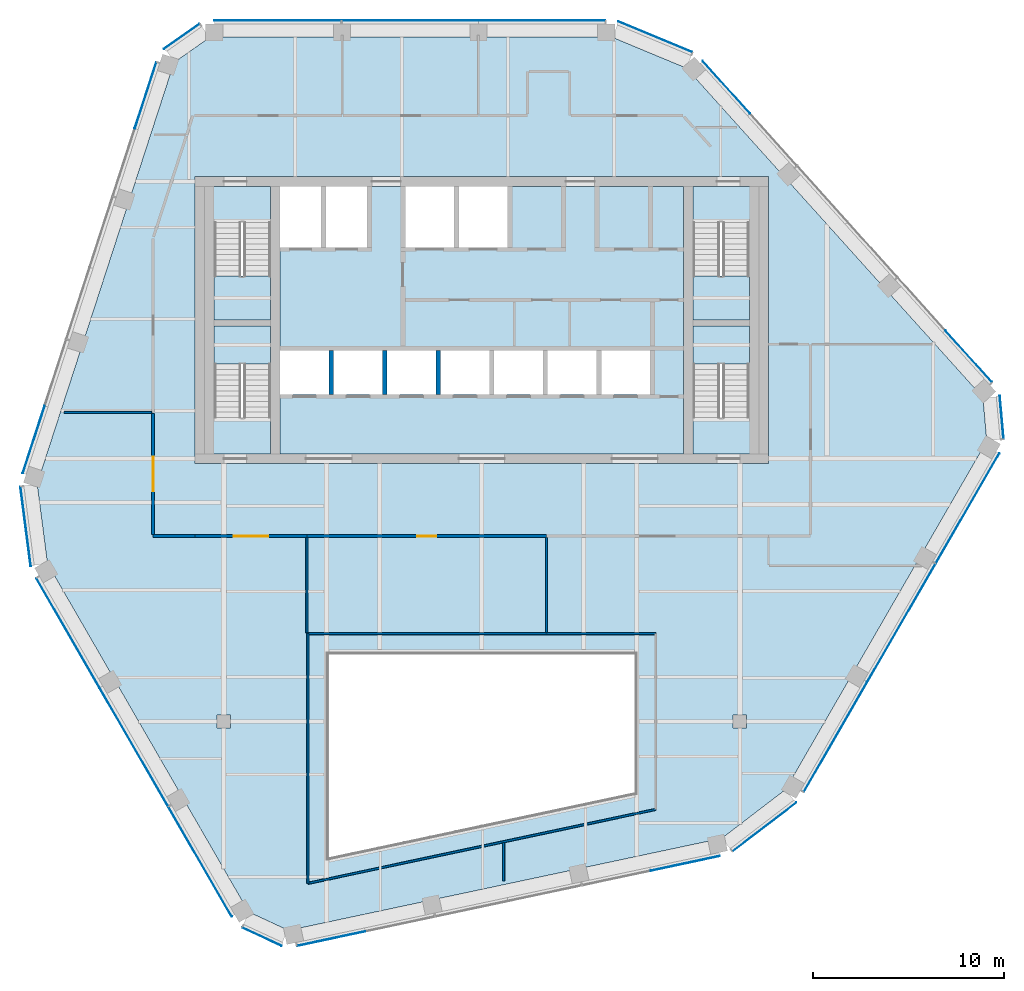
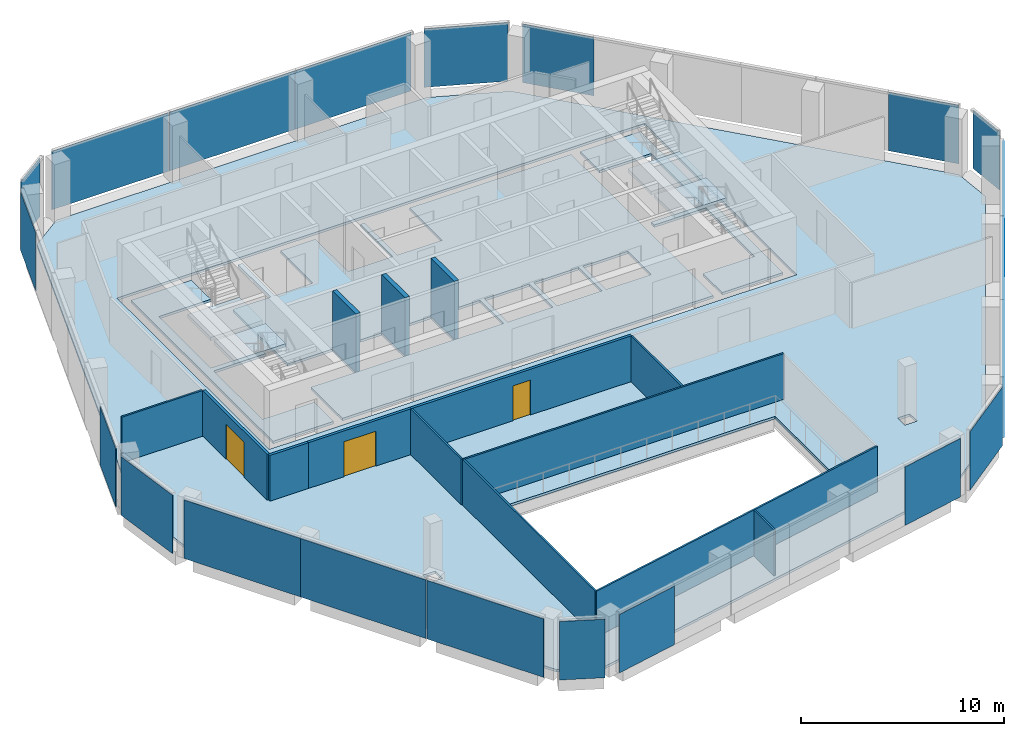
# One storey, part 7 of 15: 21 plates, 14 walls, 8 slabs, 3 doors, 3 openings, 16 elements without a shape of their own.
"""IFC4 building model written with IfcOpenShell, lengths in metres."""

from ifc_helpers import new_model, si_unit, direction, frame, frame_2d, origin, origin_2d, place, context, subcontext, project, spatial, polyline, rectangle, outline, extrude, material, layer, layer_set, type_object, element, fill, aggregate, save


model = new_model("IFC4")

# Units and contexts
model_context = context("Model", 3, precision=1e-05, world=origin(), true_north=direction((0.0, 1.0)))
body_context = subcontext(model_context, "Body", "Model", "MODEL_VIEW")
ifc_project = project(units=[si_unit("LENGTHUNIT", "METRE"), si_unit("AREAUNIT", "SQUARE_METRE"), si_unit("VOLUMEUNIT", "CUBIC_METRE"), si_unit("PLANEANGLEUNIT", "RADIAN"), si_unit("MASSUNIT", "GRAM", prefix="KILO")], contexts=[model_context])

# Site, building, storey
site_placement = place(None, origin())
site = spatial("IfcSite", under=ifc_project, at=site_placement, CompositionType="ELEMENT")
building_placement = place(site_placement, origin())
building = spatial("IfcBuilding", under=site, at=building_placement, Name="Isthmus Gate Tower", CompositionType="ELEMENT")
storey_placement = place(building_placement, frame((0.0, 0.0, 271.89990234375)))
storey = spatial("IfcBuildingStorey", under=building, at=storey_placement, Name="L69", CompositionType="ELEMENT", Elevation=271.89990234375)

# Slabs
ifc_material_1 = material(Name="Concrete f'c 40 MPa", Category="concrete")
ifc_layer_1 = layer(ifc_material_1, 0.14990234375)
ifc_layer_set_1 = layer_set([ifc_layer_1], Name="COMPOSITE FLOOR SLAB 150")
slab_type_1 = type_object("IfcSlabType", Name="COMPOSITE FLOOR SLAB 150", PredefinedType="FLOOR", material=ifc_layer_set_1)
slab_1_placement = place(storey_placement, frame((0.0, 0.0, -0.14990234375)))
element("IfcSlab", 1, at=slab_1_placement, inside=storey, type_object=slab_type_1, Name="str-slab-L69-1", PredefinedType="FLOOR", context=body_context, shape_type="SweptSolid", body=[
    extrude(outline(polyline([(10.7080078125, 20.68310546875), (26.218017578125, 3.45751953125), (26.423583984375, 1.1669921875), (15.902587890625, -17.055908203125), (12.55810546875, -19.614990234375), (-10.11474609375, -24.434326171875), (-12.201171875, -23.467041015625), (-22.72216796875, -5.243896484375), (-23.26611328125, -1.068115234375), (-16.103515625, 20.976806640625), (-14.22265625, 22.300048828125), (6.819580078125, 22.300048828125), (10.7080078125, 20.68310546875)]), holes=[polyline([(-8.0, -10.0), (-8.0, -20.611083984375), (8.0, -17.210205078125), (8.0, -10.0), (-8.0, -10.0)]), polyline([(-13.85009765625, -13.14990234375), (-13.85009765625, -13.85009765625), (-13.14990234375, -13.85009765625), (-13.14990234375, -13.14990234375), (-13.85009765625, -13.14990234375)]), polyline([(13.14990234375, -13.14990234375), (13.14990234375, -13.85009765625), (13.85009765625, -13.85009765625), (13.85009765625, -13.14990234375), (13.14990234375, -13.14990234375)]), polyline([(-15.0, 0.0), (15.0, 0.0), (15.0, 15.0), (-15.0, 15.0), (-15.0, 0.0)])]), origin(), (0.0, 0.0, 1.0), 0.14990234375),
])
ifc_material_2 = material(Name="Concrete f'c 40 MPa", Category="concrete")
ifc_layer_2 = layer(ifc_material_2, 0.14990234375)
ifc_layer_set_2 = layer_set([ifc_layer_2], Name="CORE FLOOR SLAB 150")
slab_type_2 = type_object("IfcSlabType", Name="CORE FLOOR SLAB 150", PredefinedType="FLOOR", material=ifc_layer_set_2)
slab_2_placement = place(storey_placement, frame((0.0, 0.0, -0.14990234375)))
element("IfcSlab", 2, at=slab_2_placement, inside=storey, type_object=slab_type_2, Name="L69 core floor", PredefinedType="FLOOR", context=body_context, shape_type="SweptSolid", body=[
    extrude(outline(polyline([(-11.050048828125, 0.5), (-11.050048828125, 2.402099609375), (-14.0, 2.402099609375), (-14.0, 7.199951171875), (-11.050048828125, 7.199951171875), (-11.050048828125, 7.5), (-14.0, 7.5), (-14.0, 12.597900390625), (-11.050048828125, 12.597900390625), (-11.050048828125, 14.5), (-14.5, 14.5), (-14.5, 0.5), (-11.050048828125, 0.5)])), origin(), (0.0, 0.0, 1.0), 0.14990234375),
])
slab_3_placement = place(storey_placement, frame((0.0, 0.0, -0.14990234375)))
element("IfcSlab", 3, at=slab_3_placement, inside=storey, type_object=slab_type_2, Name="L69 core floor", PredefinedType="FLOOR", context=body_context, shape_type="SweptSolid", body=[
    extrude(outline(polyline([(10.550048828125, 14.5), (1.35009765625, 14.5), (1.35009765625, 11.300048828125), (-1.199951171875, 11.300048828125), (-1.199951171875, 14.5), (-1.449951171875, 14.5), (-1.449951171875, 11.300048828125), (-4.0, 11.300048828125), (-4.0, 14.5), (-6.0, 14.5), (-6.0, 11.300048828125), (-8.14990234375, 11.300048828125), (-8.14990234375, 14.5), (-8.39990234375, 14.5), (-8.39990234375, 11.300048828125), (-10.550048828125, 11.300048828125), (-10.550048828125, 5.89990234375), (-8.0, 5.89990234375), (-8.0, 3.60009765625), (-10.550048828125, 3.60009765625), (-10.550048828125, 0.5), (10.550048828125, 0.5), (10.550048828125, 14.5)]), holes=[polyline([(-5.199951171875, 5.89990234375), (-5.199951171875, 3.60009765625), (-7.75, 3.60009765625), (-7.75, 5.89990234375), (-5.199951171875, 5.89990234375)]), polyline([(-2.39990234375, 5.89990234375), (-2.39990234375, 3.60009765625), (-4.949951171875, 3.60009765625), (-4.949951171875, 5.89990234375), (-2.39990234375, 5.89990234375)]), polyline([(0.39990234375, 5.89990234375), (0.39990234375, 3.60009765625), (-2.14990234375, 3.60009765625), (-2.14990234375, 5.89990234375), (0.39990234375, 5.89990234375)]), polyline([(3.199951171875, 5.89990234375), (3.199951171875, 3.60009765625), (0.64990234375, 3.60009765625), (0.64990234375, 5.89990234375), (3.199951171875, 5.89990234375)]), polyline([(6.0, 5.89990234375), (6.0, 3.60009765625), (3.449951171875, 3.60009765625), (3.449951171875, 5.89990234375), (6.0, 5.89990234375)]), polyline([(8.800048828125, 5.89990234375), (8.800048828125, 3.60009765625), (6.25, 3.60009765625), (6.25, 5.89990234375), (8.800048828125, 5.89990234375)])]), origin(), (0.0, 0.0, 1.0), 0.14990234375),
])
slab_4_placement = place(storey_placement, frame((0.0, 0.0, -0.14990234375)))
element("IfcSlab", 4, at=slab_4_placement, inside=storey, type_object=slab_type_2, Name="L69 core floor", PredefinedType="FLOOR", context=body_context, shape_type="SweptSolid", body=[
    extrude(outline(polyline([(11.050048828125, 14.5), (11.050048828125, 12.597900390625), (14.0, 12.597900390625), (14.0, 7.5), (11.050048828125, 7.5), (11.050048828125, 7.199951171875), (14.0, 7.199951171875), (14.0, 2.402099609375), (11.050048828125, 2.402099609375), (11.050048828125, 0.5), (14.5, 0.5), (14.5, 14.5), (11.050048828125, 14.5)])), origin(), (0.0, 0.0, 1.0), 0.14990234375),
])

# Curtain wall, plates
ifc_material_3 = material(Name="Aluminium, pale champagne anodised", Category="aluminium")
ifc_layer_3 = layer(ifc_material_3, 0.199951171875)
ifc_layer_set_3 = layer_set([ifc_layer_3], Name="CW-1 UNITISED CURTAIN WALL 200 DEEP")
curtain_wall_type = type_object("IfcCurtainWallType", Name="CW-1 UNITISED CURTAIN WALL 200 DEEP", PredefinedType="NOTDEFINED", material=ifc_layer_set_3)
curtain_wall_1_placement = place(storey_placement, origin())
curtain_wall_1 = element("IfcCurtainWall", 5, at=curtain_wall_1_placement, inside=storey, type_object=curtain_wall_type, Name="CW-1 N L69", PredefinedType="NOTDEFINED")
ifc_material_4 = material(Name="Laminated low-iron glass, pale blue tint", Category="glass")
ifc_layer_4 = layer(ifc_material_4, 0.031982421875)
ifc_layer_set_4 = layer_set([ifc_layer_4], Name="CW-1 CLEAR GLASS LITE 32")
plate_type = type_object("IfcPlateType", Name="CW-1 CLEAR GLASS LITE 32", PredefinedType="CURTAIN_PANEL", material=ifc_layer_set_4)
plate_1_placement = place(storey_placement, frame((3.13720703125, 23.18408203125, 0.0), z_axis=(0.0, 0.0, 1.0), x_axis=(-1.0, 0.0, 0.0)))
plate_1 = element("IfcPlate", 6, at=plate_1_placement, type_object=plate_type, Name="CW-1 glass lite", PredefinedType="CURTAIN_PANEL", context=body_context, shape_type="SweptSolid", body=[
    extrude(rectangle(XDim=6.62451171875, YDim=0.031982421875, at=origin_2d()), origin(), (0.0, 0.0, 1.0), 3.52001953125),
])
plate_2_placement = place(storey_placement, frame((-3.742431640625, 23.18408203125, 0.0), z_axis=(0.0, 0.0, 1.0), x_axis=(-1.0, 0.0, 0.0)))
plate_2 = element("IfcPlate", 7, at=plate_2_placement, type_object=plate_type, Name="CW-1 glass lite", PredefinedType="CURTAIN_PANEL", context=body_context, shape_type="SweptSolid", body=[
    extrude(rectangle(XDim=7.134521484375, YDim=0.031982421875, at=origin_2d()), origin(), (0.0, 0.0, 1.0), 3.52001953125),
])
plate_3_placement = place(storey_placement, frame((-10.681884765625, 23.18408203125, 0.0), z_axis=(0.0, 0.0, 1.0), x_axis=(-1.0, 0.0, 0.0)))
plate_3 = element("IfcPlate", 8, at=plate_3_placement, type_object=plate_type, Name="CW-1 glass lite", PredefinedType="CURTAIN_PANEL", context=body_context, shape_type="SweptSolid", body=[
    extrude(rectangle(XDim=6.62451171875, YDim=0.031982421875, at=origin_2d()), origin(), (0.0, 0.0, 1.0), 3.52001953125),
])
aggregate(curtain_wall_1, [plate_1, plate_2, plate_3])

# Curtain wall, plate
curtain_wall_2_placement = place(storey_placement, origin())
curtain_wall_2 = element("IfcCurtainWall", 9, at=curtain_wall_2_placement, inside=storey, type_object=curtain_wall_type, Name="CW-1 N-NW L69", PredefinedType="NOTDEFINED")
plate_4_placement = place(storey_placement, frame((-15.6953125, 22.3447265625, 0.0), z_axis=(0.0, 0.0, 1.0), x_axis=(-0.81785959165, -0.57541783805, 0.0)))
plate_4 = element("IfcPlate", 10, at=plate_4_placement, type_object=plate_type, Name="CW-1 glass lite", PredefinedType="CURTAIN_PANEL", context=body_context, shape_type="SweptSolid", body=[
    extrude(rectangle(XDim=2.258544921875, YDim=0.031982421875, at=origin_2d()), origin(), (0.0, 0.0, 1.0), 3.52001953125),
])
aggregate(curtain_wall_2, [plate_4])

# Curtain wall, plates
curtain_wall_3_placement = place(storey_placement, origin())
curtain_wall_3 = element("IfcCurtainWall", 11, at=curtain_wall_3_placement, inside=storey, type_object=curtain_wall_type, Name="CW-1 NW L69", PredefinedType="NOTDEFINED")
plate_5_placement = place(storey_placement, frame((-17.592529296875, 19.254150390625, 0.0), z_axis=(0.0, 0.0, 1.0), x_axis=(-0.309016994375, -0.951056516295, 0.0)))
plate_5 = element("IfcPlate", 12, at=plate_5_placement, type_object=plate_type, Name="CW-1 glass lite", PredefinedType="CURTAIN_PANEL", context=body_context, shape_type="SweptSolid", body=[
    extrude(rectangle(XDim=3.643310546875, YDim=0.031982421875, at=origin_2d()), origin(), (0.0, 0.0, 1.0), 3.52001953125),
])
plate_6_placement = place(storey_placement, frame((-23.4443359375, 1.244140625, 0.0), z_axis=(0.0, 0.0, 1.0), x_axis=(-0.309016994375, -0.951056516295, 0.0)))
plate_6 = element("IfcPlate", 13, at=plate_6_placement, type_object=plate_type, Name="CW-1 glass lite", PredefinedType="CURTAIN_PANEL", context=body_context, shape_type="SweptSolid", body=[
    extrude(rectangle(XDim=3.703369140625, YDim=0.031982421875, at=origin_2d()), origin(), (0.0, 0.0, 1.0), 3.52001953125),
])
aggregate(curtain_wall_3, [plate_5, plate_6])

# Curtain wall, plate
curtain_wall_4_placement = place(storey_placement, origin())
curtain_wall_4 = element("IfcCurtainWall", 14, at=curtain_wall_4_placement, inside=storey, type_object=curtain_wall_type, Name="CW-1 NW-SW L69", PredefinedType="NOTDEFINED")
plate_7_placement = place(storey_placement, frame((-23.866943359375, -3.2998046875, 0.0), z_axis=(0.0, 0.0, 1.0), x_axis=(0.129164534, -0.991623175988, 0.0)))
plate_7 = element("IfcPlate", 15, at=plate_7_placement, type_object=plate_type, Name="CW-1 glass lite", PredefinedType="CURTAIN_PANEL", context=body_context, shape_type="SweptSolid", body=[
    extrude(rectangle(XDim=4.181396484375, YDim=0.031982421875, at=origin_2d()), origin(), (0.0, 0.0, 1.0), 3.52001953125),
])
aggregate(curtain_wall_4, [plate_7])

# Curtain wall, plates
curtain_wall_5_placement = place(storey_placement, origin())
curtain_wall_5 = element("IfcCurtainWall", 16, at=curtain_wall_5_placement, inside=storey, type_object=curtain_wall_type, Name="CW-1 SW L69", PredefinedType="NOTDEFINED")
plate_8_placement = place(storey_placement, frame((-21.646484375, -8.875244140625, 0.0), z_axis=(0.0, 0.0, 1.0), x_axis=(0.5, -0.866025403784, 0.0)))
plate_8 = element("IfcPlate", 17, at=plate_8_placement, type_object=plate_type, Name="CW-1 glass lite", PredefinedType="CURTAIN_PANEL", context=body_context, shape_type="SweptSolid", body=[
    extrude(rectangle(XDim=6.62451171875, YDim=0.031982421875, at=origin_2d()), origin(), (0.0, 0.0, 1.0), 3.52001953125),
])
plate_9_placement = place(storey_placement, frame((-18.206787109375, -14.8330078125, 0.0), z_axis=(0.0, 0.0, 1.0), x_axis=(0.5, -0.866025403784, 0.0)))
plate_9 = element("IfcPlate", 18, at=plate_9_placement, type_object=plate_type, Name="CW-1 glass lite", PredefinedType="CURTAIN_PANEL", context=body_context, shape_type="SweptSolid", body=[
    extrude(rectangle(XDim=7.134521484375, YDim=0.031982421875, at=origin_2d()), origin(), (0.0, 0.0, 1.0), 3.52001953125),
])
plate_10_placement = place(storey_placement, frame((-14.737060546875, -20.8427734375, 0.0), z_axis=(0.0, 0.0, 1.0), x_axis=(0.5, -0.866025403784, 0.0)))
plate_10 = element("IfcPlate", 19, at=plate_10_placement, type_object=plate_type, Name="CW-1 glass lite", PredefinedType="CURTAIN_PANEL", context=body_context, shape_type="SweptSolid", body=[
    extrude(rectangle(XDim=6.62451171875, YDim=0.031982421875, at=origin_2d()), origin(), (0.0, 0.0, 1.0), 3.52001953125),
])
aggregate(curtain_wall_5, [plate_8, plate_9, plate_10])

# Curtain wall, plate
curtain_wall_6_placement = place(storey_placement, origin())
curtain_wall_6 = element("IfcCurtainWall", 20, at=curtain_wall_6_placement, inside=storey, type_object=curtain_wall_type, Name="CW-1 SW-S L69", PredefinedType="NOTDEFINED")
plate_11_placement = place(storey_placement, frame((-11.50341796875, -24.764892578125, 0.0), z_axis=(0.0, 0.0, 1.0), x_axis=(0.907256261367, -0.420578264073, 0.0)))
plate_11 = element("IfcPlate", 21, at=plate_11_placement, type_object=plate_type, Name="CW-1 glass lite", PredefinedType="CURTAIN_PANEL", context=body_context, shape_type="SweptSolid", body=[
    extrude(rectangle(XDim=2.258544921875, YDim=0.031982421875, at=origin_2d()), origin(), (0.0, 0.0, 1.0), 3.52001953125),
])
aggregate(curtain_wall_6, [plate_11])

# Curtain wall, plates
curtain_wall_7_placement = place(storey_placement, origin())
curtain_wall_7 = element("IfcCurtainWall", 22, at=curtain_wall_7_placement, inside=storey, type_object=curtain_wall_type, Name="CW-1 S L69", PredefinedType="NOTDEFINED")
plate_12_placement = place(storey_placement, frame((-7.87841796875, -24.86279296875, 0.0), z_axis=(0.0, 0.0, 1.0), x_axis=(0.978147600734, 0.207911690818, 0.0)))
plate_12 = element("IfcPlate", 23, at=plate_12_placement, type_object=plate_type, Name="CW-1 glass lite", PredefinedType="CURTAIN_PANEL", context=body_context, shape_type="SweptSolid", body=[
    extrude(rectangle(XDim=3.643310546875, YDim=0.031982421875, at=origin_2d()), origin(), (0.0, 0.0, 1.0), 3.52001953125),
])
plate_13_placement = place(storey_placement, frame((10.644775390625, -20.925537109375, 0.0), z_axis=(0.0, 0.0, 1.0), x_axis=(0.978147600734, 0.207911690818, 0.0)))
plate_13 = element("IfcPlate", 24, at=plate_13_placement, type_object=plate_type, Name="CW-1 glass lite", PredefinedType="CURTAIN_PANEL", context=body_context, shape_type="SweptSolid", body=[
    extrude(rectangle(XDim=3.703369140625, YDim=0.031982421875, at=origin_2d()), origin(), (0.0, 0.0, 1.0), 3.52001953125),
])
aggregate(curtain_wall_7, [plate_12, plate_13])

# Curtain wall, plate
curtain_wall_8_placement = place(storey_placement, origin())
curtain_wall_8 = element("IfcCurtainWall", 25, at=curtain_wall_8_placement, inside=storey, type_object=curtain_wall_type, Name="CW-1 S-SE L69", PredefinedType="NOTDEFINED")
plate_14_placement = place(storey_placement, frame((14.791259765625, -19.01953125, 0.0), z_axis=(0.0, 0.0, 1.0), x_axis=(0.794188594387, 0.607671355706, 0.0)))
plate_14 = element("IfcPlate", 26, at=plate_14_placement, type_object=plate_type, Name="CW-1 glass lite", PredefinedType="CURTAIN_PANEL", context=body_context, shape_type="SweptSolid", body=[
    extrude(rectangle(XDim=4.181396484375, YDim=0.031982421875, at=origin_2d()), origin(), (0.0, 0.0, 1.0), 3.52001953125),
])
aggregate(curtain_wall_8, [plate_14])

# Curtain wall, plates
curtain_wall_9_placement = place(storey_placement, origin())
curtain_wall_9 = element("IfcCurtainWall", 27, at=curtain_wall_9_placement, inside=storey, type_object=curtain_wall_type, Name="CW-1 SE L69", PredefinedType="NOTDEFINED")
plate_15_placement = place(storey_placement, frame((18.50927734375, -14.308837890625, 0.0), z_axis=(0.0, 0.0, 1.0), x_axis=(0.5, 0.866025403784, 0.0)))
plate_15 = element("IfcPlate", 28, at=plate_15_placement, type_object=plate_type, Name="CW-1 glass lite", PredefinedType="CURTAIN_PANEL", context=body_context, shape_type="SweptSolid", body=[
    extrude(rectangle(XDim=6.62451171875, YDim=0.031982421875, at=origin_2d()), origin(), (0.0, 0.0, 1.0), 3.52001953125),
])
plate_16_placement = place(storey_placement, frame((21.94921875, -8.35107421875, 0.0), z_axis=(0.0, 0.0, 1.0), x_axis=(0.5, 0.866025403784, 0.0)))
plate_16 = element("IfcPlate", 29, at=plate_16_placement, type_object=plate_type, Name="CW-1 glass lite", PredefinedType="CURTAIN_PANEL", context=body_context, shape_type="SweptSolid", body=[
    extrude(rectangle(XDim=7.134521484375, YDim=0.031982421875, at=origin_2d()), origin(), (0.0, 0.0, 1.0), 3.52001953125),
])
plate_17_placement = place(storey_placement, frame((25.4189453125, -2.34130859375, 0.0), z_axis=(0.0, 0.0, 1.0), x_axis=(0.5, 0.866025403784, 0.0)))
plate_17 = element("IfcPlate", 30, at=plate_17_placement, type_object=plate_type, Name="CW-1 glass lite", PredefinedType="CURTAIN_PANEL", context=body_context, shape_type="SweptSolid", body=[
    extrude(rectangle(XDim=6.62451171875, YDim=0.031982421875, at=origin_2d()), origin(), (0.0, 0.0, 1.0), 3.52001953125),
])
aggregate(curtain_wall_9, [plate_15, plate_16, plate_17])

# Curtain wall, plate
curtain_wall_10_placement = place(storey_placement, origin())
curtain_wall_10 = element("IfcCurtainWall", 31, at=curtain_wall_10_placement, inside=storey, type_object=curtain_wall_type, Name="CW-1 SE-NE L69", PredefinedType="NOTDEFINED")
plate_18_placement = place(storey_placement, frame((27.19873046875, 2.420166015625, 0.0), z_axis=(0.0, 0.0, 1.0), x_axis=(-0.089396669717, 0.995996102123, 0.0)))
plate_18 = element("IfcPlate", 32, at=plate_18_placement, type_object=plate_type, Name="CW-1 glass lite", PredefinedType="CURTAIN_PANEL", context=body_context, shape_type="SweptSolid", body=[
    extrude(rectangle(XDim=2.258544921875, YDim=0.031982421875, at=origin_2d()), origin(), (0.0, 0.0, 1.0), 3.52001953125),
])
aggregate(curtain_wall_10, [plate_18])

# Curtain wall, plates
curtain_wall_11_placement = place(storey_placement, origin())
curtain_wall_11 = element("IfcCurtainWall", 33, at=curtain_wall_11_placement, inside=storey, type_object=curtain_wall_type, Name="CW-1 NE L69", PredefinedType="NOTDEFINED")
plate_19_placement = place(storey_placement, frame((25.470947265625, 5.6083984375, 0.0), z_axis=(0.0, 0.0, 1.0), x_axis=(-0.669130606359, 0.743144825477, 0.0)))
plate_19 = element("IfcPlate", 34, at=plate_19_placement, type_object=plate_type, Name="CW-1 glass lite", PredefinedType="CURTAIN_PANEL", context=body_context, shape_type="SweptSolid", body=[
    extrude(rectangle(XDim=3.643310546875, YDim=0.031982421875, at=origin_2d()), origin(), (0.0, 0.0, 1.0), 3.52001953125),
])
plate_20_placement = place(storey_placement, frame((12.799560546875, 19.681396484375, 0.0), z_axis=(0.0, 0.0, 1.0), x_axis=(-0.669130606359, 0.743144825477, 0.0)))
plate_20 = element("IfcPlate", 35, at=plate_20_placement, type_object=plate_type, Name="CW-1 glass lite", PredefinedType="CURTAIN_PANEL", context=body_context, shape_type="SweptSolid", body=[
    extrude(rectangle(XDim=3.703369140625, YDim=0.031982421875, at=origin_2d()), origin(), (0.0, 0.0, 1.0), 3.52001953125),
])
aggregate(curtain_wall_11, [plate_19, plate_20])

# Curtain wall, plate
curtain_wall_12_placement = place(storey_placement, origin())
curtain_wall_12 = element("IfcCurtainWall", 36, at=curtain_wall_12_placement, inside=storey, type_object=curtain_wall_type, Name="CW-1 NE-N L69", PredefinedType="NOTDEFINED")
plate_21_placement = place(storey_placement, frame((9.07568359375, 22.3193359375, 0.0), z_axis=(0.0, 0.0, 1.0), x_axis=(-0.923353128387, 0.383951820282, 0.0)))
plate_21 = element("IfcPlate", 37, at=plate_21_placement, type_object=plate_type, Name="CW-1 glass lite", PredefinedType="CURTAIN_PANEL", context=body_context, shape_type="SweptSolid", body=[
    extrude(rectangle(XDim=4.181396484375, YDim=0.031982421875, at=origin_2d()), origin(), (0.0, 0.0, 1.0), 3.52001953125),
])
aggregate(curtain_wall_12, [plate_21])

# Stair, slab
ifc_material_5 = material(Name="Concrete f'c 40 MPa", Category="concrete")
stair_type = type_object("IfcStairType", Name="CORE STAIR 22 RISERS", PredefinedType="HALF_TURN_STAIR", material=ifc_material_5)
stair_1_placement = place(storey_placement, origin())
stair_1 = element("IfcStair", 38, at=stair_1_placement, inside=storey, type_object=stair_type, Name="L69 Exit Stair 1", PredefinedType="HALF_TURN_STAIR")
ifc_material_6 = material(Name="Concrete f'c 40 MPa", Category="concrete")
ifc_layer_5 = layer(ifc_material_6, 0.199951171875)
ifc_layer_set_5 = layer_set([ifc_layer_5])
slab_type_3 = type_object("IfcSlabType", Name="STAIR LANDING RC 200", PredefinedType="LANDING", material=ifc_layer_set_5)
slab_5_placement = place(storey_placement, frame((0.0, 0.0, 1.625)))
slab_5 = element("IfcSlab", 39, at=slab_5_placement, type_object=slab_type_3, Name="ST1 landing 1", PredefinedType="LANDING", context=body_context, shape_type="SweptSolid", body=[
    extrude(outline(polyline([(-14.0, 9.800048828125), (-14.0, 7.5), (-11.050048828125, 7.5), (-11.050048828125, 9.800048828125), (-14.0, 9.800048828125)])), origin(), (0.0, 0.0, 1.0), 0.2001953125),
])
aggregate(stair_1, [slab_5])

stair_2_placement = place(storey_placement, origin())
stair_2 = element("IfcStair", 40, at=stair_2_placement, inside=storey, type_object=stair_type, Name="L69 Exit Stair 2", PredefinedType="HALF_TURN_STAIR")
slab_6_placement = place(storey_placement, frame((0.0, 0.0, 1.625)))
slab_6 = element("IfcSlab", 41, at=slab_6_placement, type_object=slab_type_3, Name="ST2 landing 1", PredefinedType="LANDING", context=body_context, shape_type="SweptSolid", body=[
    extrude(outline(polyline([(11.050048828125, 9.800048828125), (11.050048828125, 7.5), (14.0, 7.5), (14.0, 9.800048828125), (11.050048828125, 9.800048828125)])), origin(), (0.0, 0.0, 1.0), 0.2001953125),
])
aggregate(stair_2, [slab_6])

stair_3_placement = place(storey_placement, origin())
stair_3 = element("IfcStair", 42, at=stair_3_placement, inside=storey, type_object=stair_type, Name="L69 Exit Stair 7", PredefinedType="HALF_TURN_STAIR")
slab_7_placement = place(storey_placement, frame((0.0, 0.0, 1.625)))
slab_7 = element("IfcSlab", 43, at=slab_7_placement, type_object=slab_type_3, Name="ST7 landing 1", PredefinedType="LANDING", context=body_context, shape_type="SweptSolid", body=[
    extrude(outline(polyline([(-11.050048828125, 5.199951171875), (-11.050048828125, 7.199951171875), (-14.0, 7.199951171875), (-14.0, 5.199951171875), (-11.050048828125, 5.199951171875)])), origin(), (0.0, 0.0, 1.0), 0.2001953125),
])
aggregate(stair_3, [slab_7])

stair_4_placement = place(storey_placement, origin())
stair_4 = element("IfcStair", 44, at=stair_4_placement, inside=storey, type_object=stair_type, Name="L69 Exit Stair 8", PredefinedType="HALF_TURN_STAIR")
slab_8_placement = place(storey_placement, frame((0.0, 0.0, 1.625)))
slab_8 = element("IfcSlab", 45, at=slab_8_placement, type_object=slab_type_3, Name="ST8 landing 1", PredefinedType="LANDING", context=body_context, shape_type="SweptSolid", body=[
    extrude(outline(polyline([(14.0, 5.199951171875), (14.0, 7.199951171875), (11.050048828125, 7.199951171875), (11.050048828125, 5.199951171875), (14.0, 5.199951171875)])), origin(), (0.0, 0.0, 1.0), 0.2001953125),
])
aggregate(stair_4, [slab_8])

# Walls
ifc_material_7 = material(Name="Fire-rated laminated glass in steel frame", Category="steel")
ifc_layer_6 = layer(ifc_material_7, 0.10009765625)
ifc_layer_set_6 = layer_set([ifc_layer_6], Name="ATRIUM SCREEN GLAZED WALL 100 120 MIN")
wall_type_1 = type_object("IfcWallType", Name="ATRIUM SCREEN GLAZED WALL 100 120 MIN", PredefinedType="PARTITIONING", material=ifc_layer_set_6)
wall_1_placement = place(storey_placement, frame((-9.10009765625, -8.89990234375, 0.0), z_axis=(0.0, 0.0, 1.0), x_axis=(1.0, 0.0, 0.0)))
element("IfcWall", 46, at=wall_1_placement, inside=storey, type_object=wall_type_1, Name="L69 atrium screen", PredefinedType="PARTITIONING", context=body_context, shape_type="SweptSolid", body=[
    extrude(rectangle(XDim=18.2001953125, YDim=0.10009765625, at=frame_2d((9.10009765625, 0.0))), origin(), (0.0, 0.0, 1.0), 2.750732421875),
])
wall_2_placement = place(storey_placement, frame((9.10009765625, -18.100830078125, 0.0), z_axis=(0.0, 0.0, 1.0), x_axis=(-0.978146710971, -0.207915876778, 0.0)))
element("IfcWall", 47, at=wall_2_placement, inside=storey, type_object=wall_type_1, Name="L69 atrium screen", PredefinedType="PARTITIONING", context=body_context, shape_type="SweptSolid", body=[
    extrude(rectangle(XDim=18.60693359375, YDim=0.10009765625, at=frame_2d((9.303466796875, 0.0))), origin(), (0.0, 0.0, 1.0), 2.750732421875),
])
wall_3_placement = place(storey_placement, frame((-9.10009765625, -21.969482421875, 0.0), z_axis=(0.0, 0.0, 1.0), x_axis=(0.0, 1.0, 0.0)))
element("IfcWall", 48, at=wall_3_placement, inside=storey, type_object=wall_type_1, Name="L69 atrium screen", PredefinedType="PARTITIONING", context=body_context, shape_type="SweptSolid", body=[
    extrude(rectangle(XDim=13.069580078125, YDim=0.10009765625, at=frame_2d((6.53466796875, 0.0))), origin(), (0.0, 0.0, 1.0), 2.750732421875),
])

# Wall, opening, door
ifc_material_8 = material(Name="Gypsum board on steel studs, fire-rated", Category="steel")
ifc_layer_7 = layer(ifc_material_8, 0.14990234375)
ifc_layer_set_7 = layer_set([ifc_layer_7], Name="CORRIDOR WALL 150 60 MIN")
wall_type_2 = type_object("IfcWallType", Name="CORRIDOR WALL 150 60 MIN", PredefinedType="PARTITIONING", material=ifc_layer_set_7)
wall_4_placement = place(storey_placement, frame((3.385009765625, -3.800048828125, 0.0), z_axis=(0.0, 0.0, 1.0), x_axis=(-1.0, 0.0, 0.0)))
wall_4 = element("IfcWall", 49, at=wall_4_placement, inside=storey, type_object=wall_type_2, Name="L69 Corridor Wall 150 60 Min", PredefinedType="PARTITIONING", context=body_context, shape_type="SweptSolid", body=[
    extrude(rectangle(XDim=12.532958984375, YDim=0.14990234375, at=frame_2d((6.2666015625, 0.0))), origin(), (0.0, 0.0, 1.0), 2.750732421875),
])
opening_1_placement = place(wall_4_placement, frame((5.7666015625, 0.0, 0.0)))
opening_1 = element("IfcOpeningElement", 50, at=opening_1_placement, cuts=wall_4, Name="Opening DT-T6B-07", PredefinedType="OPENING", context=body_context, shape_type="SweptSolid", body=[
    extrude(rectangle(XDim=1.0, YDim=2.10009765625, at=frame_2d((0.5, 1.050048828125))), frame((0.0, 0.0849609375, 0.0), z_axis=(0.0, -1.0, 0.0), x_axis=(1.0, 0.0, 0.0)), (0.0, 0.0, 1.0), 0.169921875),
])
ifc_material_9 = material(Name="Solid core timber door leaf, fire-rated", Category="wood")
door_type_1 = type_object("IfcDoorType", Name="FIRE DOOR ROOM 1000 X 2100 60 MIN", OperationType="SINGLE_SWING_LEFT", PredefinedType="DOOR", material=ifc_material_9)
door_1_placement = place(opening_1_placement, origin())
door_1 = element("IfcDoor", 51, at=door_1_placement, inside=storey, type_object=door_type_1, Name="L69 room door", OperationType="SINGLE_SWING_RIGHT", OverallHeight=2.10009765625, OverallWidth=1.0, PredefinedType="DOOR", context=body_context, shape_type="SweptSolid", body=[
    extrude(rectangle(XDim=1.0, YDim=2.10009765625, at=frame_2d((0.5, 1.050048828125))), frame((0.0, 0.02490234375, 0.0), z_axis=(0.0, -1.0, 0.0), x_axis=(1.0, 0.0, 0.0)), (0.0, 0.0, 1.0), 0.050048828125),
])
fill(opening_1, door_1)

wall_5_placement = place(storey_placement, frame((-9.14794921875, -3.800048828125, 0.0), z_axis=(0.0, 0.0, 1.0), x_axis=(-1.0, 0.0, 0.0)))
wall_5 = element("IfcWall", 52, at=wall_5_placement, inside=storey, type_object=wall_type_2, Name="L69 Corridor Wall 150 60 Min", PredefinedType="PARTITIONING", context=body_context, shape_type="SweptSolid", body=[
    extrude(rectangle(XDim=5.85205078125, YDim=0.14990234375, at=frame_2d((2.926025390625, 0.0))), origin(), (0.0, 0.0, 1.0), 2.750732421875),
])
opening_2_placement = place(wall_5_placement, frame((2.02587890625, 0.0, 0.0)))
opening_2 = element("IfcOpeningElement", 53, at=opening_2_placement, cuts=wall_5, Name="Opening DT-T6B-09", PredefinedType="OPENING", context=body_context, shape_type="SweptSolid", body=[
    extrude(rectangle(XDim=1.800048828125, YDim=2.10009765625, at=frame_2d((0.89990234375, 1.050048828125))), frame((0.0, 0.0849609375, 0.0), z_axis=(0.0, -1.0, 0.0), x_axis=(1.0, 0.0, 0.0)), (0.0, 0.0, 1.0), 0.169921875),
])
ifc_material_10 = material(Name="Solid core timber door leaf, fire-rated", Category="wood")
door_type_2 = type_object("IfcDoorType", Name="FIRE DOOR ROOM 1800 X 2100 60 MIN", OperationType="DOUBLE_DOOR_DOUBLE_SWING", PredefinedType="DOOR", material=ifc_material_10)
door_2_placement = place(opening_2_placement, origin())
door_2 = element("IfcDoor", 54, at=door_2_placement, inside=storey, type_object=door_type_2, Name="L69 room door", OperationType="DOUBLE_DOOR_DOUBLE_SWING", OverallHeight=2.10009765625, OverallWidth=1.800048828125, PredefinedType="DOOR", context=body_context, shape_type="SweptSolid", body=[
    extrude(rectangle(XDim=1.800048828125, YDim=2.10009765625, at=frame_2d((0.89990234375, 1.050048828125))), frame((0.0, 0.02490234375, 0.0), z_axis=(0.0, -1.0, 0.0), x_axis=(1.0, 0.0, 0.0)), (0.0, 0.0, 1.0), 0.050048828125),
])
fill(opening_2, door_2)

# Wall
wall_6_placement = place(storey_placement, frame((-15.0, -3.800048828125, 0.0), z_axis=(0.0, 0.0, 1.0), x_axis=(-1.0, 0.0, 0.0)))
element("IfcWall", 55, at=wall_6_placement, inside=storey, type_object=wall_type_2, Name="L69 Corridor Wall 150 60 Min", PredefinedType="PARTITIONING", context=body_context, shape_type="SweptSolid", body=[
    extrude(rectangle(XDim=2.199951171875, YDim=0.14990234375, at=frame_2d((1.10009765625, 0.0))), origin(), (0.0, 0.0, 1.0), 2.750732421875),
])

# Wall, opening, door
wall_7_placement = place(storey_placement, frame((-17.199951171875, -3.72509765625, 0.0), z_axis=(0.0, 0.0, 1.0), x_axis=(0.0, 1.0, 0.0)))
wall_7 = element("IfcWall", 56, at=wall_7_placement, inside=storey, type_object=wall_type_2, Name="L69 Corridor Wall 150 60 Min", PredefinedType="PARTITIONING", context=body_context, shape_type="SweptSolid", body=[
    extrude(rectangle(XDim=6.34521484375, YDim=0.14990234375, at=frame_2d((3.172607421875, 0.0))), origin(), (0.0, 0.0, 1.0), 2.750732421875),
])
opening_3_placement = place(wall_7_placement, frame((2.2724609375, 0.0, 0.0)))
opening_3 = element("IfcOpeningElement", 57, at=opening_3_placement, cuts=wall_7, Name="Opening DT-T6B-08", PredefinedType="OPENING", context=body_context, shape_type="SweptSolid", body=[
    extrude(rectangle(XDim=1.800048828125, YDim=2.10009765625, at=frame_2d((0.89990234375, 1.050048828125))), frame((0.0, 0.0849609375, 0.0), z_axis=(0.0, -1.0, 0.0), x_axis=(1.0, 0.0, 0.0)), (0.0, 0.0, 1.0), 0.169921875),
])
door_3_placement = place(opening_3_placement, origin())
door_3 = element("IfcDoor", 58, at=door_3_placement, inside=storey, type_object=door_type_2, Name="L69 room door", OperationType="DOUBLE_DOOR_DOUBLE_SWING", OverallHeight=2.10009765625, OverallWidth=1.800048828125, PredefinedType="DOOR", context=body_context, shape_type="SweptSolid", body=[
    extrude(rectangle(XDim=1.800048828125, YDim=2.10009765625, at=frame_2d((0.89990234375, 1.050048828125))), frame((0.0, 0.02490234375, 0.0), z_axis=(0.0, -1.0, 0.0), x_axis=(1.0, 0.0, 0.0)), (0.0, 0.0, 1.0), 0.050048828125),
])
fill(opening_3, door_3)

# Walls
ifc_material_11 = material(Name="Gypsum board on steel studs, fire-rated", Category="steel")
ifc_layer_8 = layer(ifc_material_11, 0.10009765625)
ifc_layer_set_8 = layer_set([ifc_layer_8], Name="ROOM PARTITION 100 30 MIN")
wall_type_3 = type_object("IfcWallType", Name="ROOM PARTITION 100 30 MIN", PredefinedType="PARTITIONING", material=ifc_layer_set_8)
wall_8_placement = place(storey_placement, frame((-21.85693359375, 2.669921875, 0.0), z_axis=(0.0, 0.0, 1.0), x_axis=(1.0, 0.0, 0.0)))
element("IfcWall", 59, at=wall_8_placement, inside=storey, type_object=wall_type_3, Name="L69 Room Partition 100 30 Min", PredefinedType="PARTITIONING", context=body_context, shape_type="SweptSolid", body=[
    extrude(rectangle(XDim=4.58203125, YDim=0.10009765625, at=frame_2d((2.291015625, 0.0))), origin(), (0.0, 0.0, 1.0), 2.750732421875),
])
for number, where, z_axis, x_axis, name in (
    (60, (3.385009765625, -8.85009765625, 0.0), (0.0, 0.0, 1.0), (0.0, 1.0, 0.0), "L69 Room Partition 100 30 Min"),
    (61, (-9.14794921875, -8.85009765625, 0.0), (0.0, 0.0, 1.0), (0.0, 1.0, 0.0), "L69 Room Partition 100 30 Min"),
):
    element("IfcWall", number, at=place(storey_placement, frame(where, z_axis=z_axis, x_axis=x_axis)), inside=storey, type_object=wall_type_3, Name=name, PredefinedType="PARTITIONING", context=body_context, shape_type="SweptSolid", body=[
        extrude(rectangle(XDim=4.97509765625, YDim=0.10009765625, at=frame_2d((2.487548828125, 0.0))), origin(), (0.0, 0.0, 1.0), 2.750732421875),
    ])
wall_9_placement = place(storey_placement, frame((1.14306640625, -21.843994140625, 0.0), z_axis=(0.0, 0.0, 1.0), x_axis=(0.0, 1.0, 0.0)))
element("IfcWall", 62, at=wall_9_placement, inside=storey, type_object=wall_type_3, Name="L69 Room Partition 100 30 Min", PredefinedType="PARTITIONING", context=body_context, shape_type="SweptSolid", body=[
    extrude(rectangle(XDim=2.0009765625, YDim=0.10009765625, at=frame_2d((1.00048828125, 0.0))), origin(), (0.0, 0.0, 1.0), 2.750732421875),
])
ifc_material_12 = material(Name="Fire-rated blockwork masonry, 15 MPa", Category="masonry")
ifc_layer_9 = layer(ifc_material_12, 0.25)
ifc_layer_set_9 = layer_set([ifc_layer_9], Name="SHAFT WALL 250 120 MIN")
wall_type_4 = type_object("IfcWallType", Name="SHAFT WALL 250 120 MIN", PredefinedType="PARTITIONING", material=ifc_layer_set_9)
for number, where, z_axis, x_axis, name in (
    (63, (-7.875, 3.60009765625, 0.0), (0.0, 0.0, 1.0), (0.0, 1.0, 0.0), "L69 SHAFT WALL 250 120 MIN"),
    (64, (-5.074951171875, 3.60009765625, 0.0), (0.0, 0.0, 1.0), (0.0, 1.0, 0.0), "L69 SHAFT WALL 250 120 MIN"),
    (65, (-2.27490234375, 3.60009765625, 0.0), (0.0, 0.0, 1.0), (0.0, 1.0, 0.0), "L69 SHAFT WALL 250 120 MIN"),
):
    element("IfcWall", number, at=place(storey_placement, frame(where, z_axis=z_axis, x_axis=x_axis)), inside=storey, type_object=wall_type_4, Name=name, PredefinedType="PARTITIONING", context=body_context, shape_type="SweptSolid", body=[
        extrude(rectangle(XDim=2.2998046875, YDim=0.25, at=frame_2d((1.14990234375, 0.0))), origin(), (0.0, 0.0, 1.0), 3.5),
    ])

save(model, "model.ifc")
